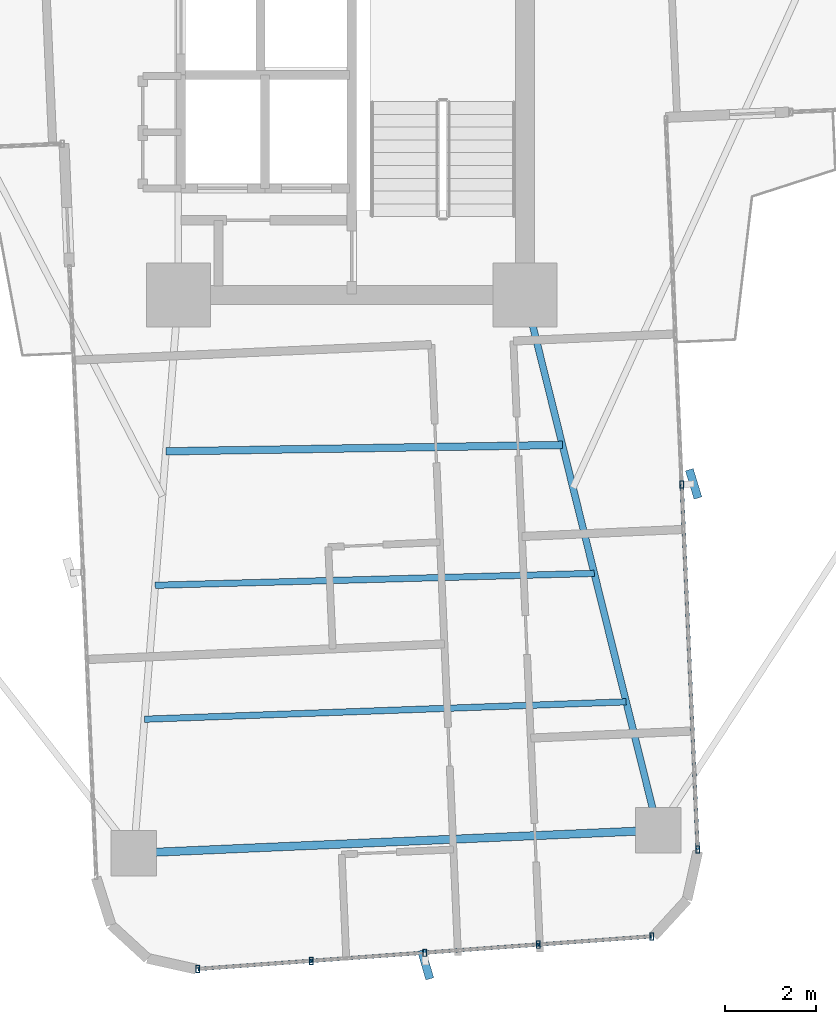
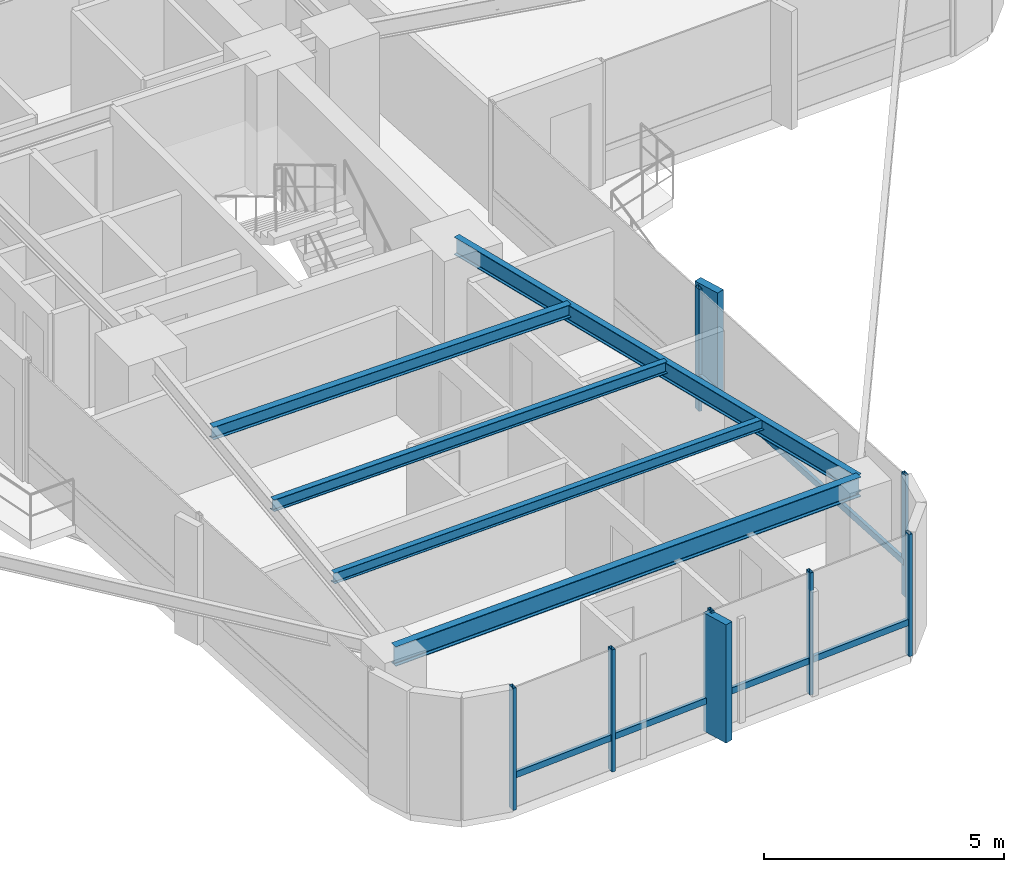
# One storey, part 6 of 26: 14 members, 5 beams, 2 elements without a shape of their own.
"""IFC4 building model written with IfcOpenShell, lengths in metres."""

from ifc_helpers import new_model, si_unit, direction, frame, origin, origin_2d, place, context, subcontext, project, spatial, rectangle, hollow_rectangle, i_section, extrude, source, transform, mapped, material, material_profile, profile_set, type_object, element, aggregate, save


model = new_model("IFC4")

# Units and contexts
model_context = context("Model", 3, precision=1e-05, world=origin(), true_north=direction((0.0, 1.0)))
body_context = subcontext(model_context, "Body", "Model", "MODEL_VIEW")
ifc_project = project(units=[si_unit("LENGTHUNIT", "METRE"), si_unit("AREAUNIT", "SQUARE_METRE"), si_unit("VOLUMEUNIT", "CUBIC_METRE"), si_unit("PLANEANGLEUNIT", "RADIAN"), si_unit("MASSUNIT", "GRAM", prefix="KILO")], contexts=[model_context])

# Site, building, storey
site_placement = place(None, origin())
site = spatial("IfcSite", under=ifc_project, at=site_placement, CompositionType="ELEMENT")
building_placement = place(site_placement, origin())
building = spatial("IfcBuilding", under=site, at=building_placement, Name="Sahyath Konkavel Grand Hotel", CompositionType="ELEMENT")
storey_placement = place(building_placement, frame((0.0, 0.0, 121.5)))
storey = spatial("IfcBuildingStorey", under=building, at=storey_placement, Name="L33", CompositionType="ELEMENT", Elevation=121.5)

# Beams
ifc_material_1 = material(Name="Steel E350", Category="steel")
ifc_material_profile_1 = material_profile(ifc_material_1, i_section(OverallWidth=0.14990234375, OverallDepth=0.449951171875, WebThickness=0.009521484375, FlangeThickness=0.017333984375, FilletRadius=0.014892578125, at=origin_2d()), Name="ISMB 450")
ifc_profile_set_1 = profile_set([ifc_material_profile_1], Name="Steel E350")
beam_type_1 = type_object("IfcBeamType", Name="BM-ISMB450", PredefinedType="BEAM", material=ifc_profile_set_1)
shared_shape_1 = source(origin(), body_context, "Body", "SweptSolid", [
    extrude(i_section(OverallWidth=0.14990234375, OverallDepth=0.449951171875, WebThickness=0.009521484375, FlangeThickness=0.017333984375, FilletRadius=0.014892578125, at=origin_2d()), origin(), (0.0, 0.0, 1.0), 12.084228515625),
])
beam_1_placement = place(storey_placement, frame((3.800048828125, -10.199951171875, 2.885009765625), z_axis=(0.241042688481, -0.970514514229, 0.0), x_axis=(0.970514514229, 0.241042688481, 0.0)))
element("IfcBeam", 1, at=beam_1_placement, inside=storey, type_object=beam_type_1, Name="L33 Cruciform Radial Girder SB", PredefinedType="BEAM", context=body_context, shape_type="MappedRepresentation", body=[
    mapped(shared_shape_1, transform((0.0, 0.0, 0.0), scale=1.0)),
])
ifc_material_profile_2 = material_profile(ifc_material_1, i_section(OverallWidth=0.179931640625, OverallDepth=0.5, WebThickness=0.01025390625, FlangeThickness=0.01708984375, FilletRadius=0.01708984375, at=origin_2d()), Name="ISMB 500")
ifc_profile_set_2 = profile_set([ifc_material_profile_2], Name="Steel E350")
beam_type_2 = type_object("IfcBeamType", Name="BM-ISMB500", PredefinedType="BEAM", material=ifc_profile_set_2)
shared_shape_2 = source(origin(), body_context, "Body", "SweptSolid", [
    extrude(i_section(OverallWidth=0.179931640625, OverallDepth=0.5, WebThickness=0.01025390625, FlangeThickness=0.01708984375, FilletRadius=0.01708984375, at=origin_2d()), origin(), (0.0, 0.0, 1.0), 11.5),
])
beam_2_placement = place(storey_placement, frame((-4.776123046875, -22.4296875, 2.860107421875), z_axis=(0.99904788879, 0.043627008892, 0.0), x_axis=(-0.043627008892, 0.99904788879, 0.0)))
element("IfcBeam", 2, at=beam_2_placement, inside=storey, type_object=beam_type_2, Name="L33 Wing Tip Edge Beam S", PredefinedType="BEAM", context=body_context, shape_type="MappedRepresentation", body=[
    mapped(shared_shape_2, transform((0.0, 0.0, 0.0), scale=1.0)),
])
ifc_material_profile_3 = material_profile(ifc_material_1, i_section(OverallWidth=0.1650390625, OverallDepth=0.324951171875, WebThickness=0.007080078125, FlangeThickness=0.009765625, FilletRadius=0.014892578125, at=origin_2d()), Name="ISLB 325")
ifc_profile_set_3 = profile_set([ifc_material_profile_3], Name="Steel E350")
beam_type_3 = type_object("IfcBeamType", Name="BM-ISLB325", PredefinedType="BEAM", material=ifc_profile_set_3)
shared_shape_3 = source(origin(), body_context, "Body", "SweptSolid", [
    extrude(i_section(OverallWidth=0.1650390625, OverallDepth=0.324951171875, WebThickness=0.007080078125, FlangeThickness=0.009765625, FilletRadius=0.014892578125, at=origin_2d()), origin(), (0.0, 0.0, 1.0), 8.68994140625),
])
beam_3_placement = place(storey_placement, frame((-4.0732421875, -13.624267578125, 2.947509765625), z_axis=(0.999869506431, 0.016154569283, 0.0), x_axis=(-0.016154569283, 0.999869506431, 0.0)))
element("IfcBeam", 3, at=beam_3_placement, inside=storey, type_object=beam_type_3, Name="L33 Secondary Floor Beam S-1", PredefinedType="BEAM", context=body_context, shape_type="MappedRepresentation", body=[
    mapped(shared_shape_3, transform((0.0, 0.0, 0.0), scale=1.0)),
])
ifc_material_profile_4 = material_profile(ifc_material_1, i_section(OverallWidth=0.139892578125, OverallDepth=0.300048828125, WebThickness=0.0078125, FlangeThickness=0.01318359375, FilletRadius=0.013916015625, at=origin_2d()), Name="ISMB 300")
ifc_profile_set_4 = profile_set([ifc_material_profile_4], Name="Steel E350")
beam_type_4 = type_object("IfcBeamType", Name="BM-ISMB300", PredefinedType="BEAM", material=ifc_profile_set_4)
shared_shape_4 = source(origin(), body_context, "Body", "SweptSolid", [
    extrude(i_section(OverallWidth=0.139892578125, OverallDepth=0.300048828125, WebThickness=0.0078125, FlangeThickness=0.01318359375, FilletRadius=0.013916015625, at=origin_2d()), origin(), (0.0, 0.0, 1.0), 9.625732421875),
])
beam_4_placement = place(storey_placement, frame((-4.3076171875, -16.559326171875, 2.9599609375), z_axis=(0.999633060528, 0.027087714933, 0.0), x_axis=(-0.027087714933, 0.999633060528, 0.0)))
element("IfcBeam", 4, at=beam_4_placement, inside=storey, type_object=beam_type_4, Name="L33 Secondary Floor Beam S-2", PredefinedType="BEAM", context=body_context, shape_type="MappedRepresentation", body=[
    mapped(shared_shape_4, transform((0.0, 0.0, 0.0), scale=1.0)),
])
ifc_material_profile_5 = material_profile(ifc_material_1, i_section(OverallWidth=0.139892578125, OverallDepth=0.27490234375, WebThickness=0.00634765625, FlangeThickness=0.0087890625, FilletRadius=0.012939453125, at=origin_2d()), Name="ISLB 275")
ifc_profile_set_5 = profile_set([ifc_material_profile_5], Name="Steel E350")
beam_type_5 = type_object("IfcBeamType", Name="BM-ISLB275", PredefinedType="BEAM", material=ifc_profile_set_5)
shared_shape_5 = source(origin(), body_context, "Body", "SweptSolid", [
    extrude(i_section(OverallWidth=0.139892578125, OverallDepth=0.27490234375, WebThickness=0.00634765625, FlangeThickness=0.0087890625, FilletRadius=0.012939453125, at=origin_2d()), origin(), (0.0, 0.0, 1.0), 10.562744140625),
])
beam_5_placement = place(storey_placement, frame((-4.5419921875, -19.49462890625, 2.972412109375), z_axis=(0.999348077295, 0.036102914095, 0.0), x_axis=(-0.036102914095, 0.999348077295, 0.0)))
element("IfcBeam", 5, at=beam_5_placement, inside=storey, type_object=beam_type_5, Name="L33 Secondary Floor Beam S-3", PredefinedType="BEAM", context=body_context, shape_type="MappedRepresentation", body=[
    mapped(shared_shape_5, transform((0.0, 0.0, 0.0), scale=1.0)),
])

# Curtain wall, member
ifc_material_2 = material(Name="Anodised Bronze Aluminium & Low-E Glazing", Category="aluminium")
curtain_wall_type = type_object("IfcCurtainWallType", Name="CW-ZONE2", PredefinedType="NOTDEFINED", material=ifc_material_2)
curtain_wall_1_placement = place(storey_placement, origin())
curtain_wall_1 = element("IfcCurtainWall", 6, at=curtain_wall_1_placement, inside=storey, type_object=curtain_wall_type, Name="L33 Unitised Curtain Wall F28", PredefinedType="NOTDEFINED")
ifc_material_3 = material(Name="Warm Buff Sandstone Cladding on Concrete C50/60", Category="masonry")
ifc_material_profile_6 = material_profile(ifc_material_3, rectangle(XDim=0.179931640625, YDim=0.64990234375, at=origin_2d()), Name="FIN 180x650")
ifc_profile_set_6 = profile_set([ifc_material_profile_6], Name="Warm Buff Sandstone Cladding on Concrete C50/60")
member_type_1 = type_object("IfcMemberType", Name="FIN-SANDSTONE-650", PredefinedType="MULLION", material=ifc_profile_set_6)
shared_shape_6 = source(origin(), body_context, "Body", "SweptSolid", [
    extrude(rectangle(XDim=0.179931640625, YDim=0.64990234375, at=origin_2d()), origin(), (0.0, 0.0, 1.0), 3.010009765625),
])
member_1_placement = place(storey_placement, frame((1.61865234375, -24.872314453125, 0.050048828125), z_axis=(0.0, 0.0, 1.0), x_axis=(0.959854262938, 0.280499187022, 0.0)))
member_1 = element("IfcMember", 7, at=member_1_placement, type_object=member_type_1, Name="L33 Sandstone Vertical Solar Fin FIN F28-2", PredefinedType="MULLION", context=body_context, shape_type="MappedRepresentation", body=[
    mapped(shared_shape_6, transform((0.0, 0.0, 0.0), scale=1.0)),
])

curtain_wall_2_placement = place(storey_placement, origin())
curtain_wall_2 = element("IfcCurtainWall", 8, at=curtain_wall_2_placement, inside=storey, type_object=curtain_wall_type, Name="L33 Unitised Curtain Wall F31", PredefinedType="NOTDEFINED")
member_2_placement = place(storey_placement, frame((7.492431640625, -14.3369140625, 0.050048828125), z_axis=(0.0, 0.0, 1.0), x_axis=(0.956610402488, 0.291370104596, 0.0)))
member_2 = element("IfcMember", 9, at=member_2_placement, type_object=member_type_1, Name="L33 Sandstone Vertical Solar Fin FIN F31-1", PredefinedType="MULLION", context=body_context, shape_type="MappedRepresentation", body=[
    mapped(shared_shape_6, transform((0.0, 0.0, 0.0), scale=1.0)),
])

# Member
ifc_material_4 = material(Name="Anodised Bronze Aluminium", Category="aluminium")
ifc_material_profile_7 = material_profile(ifc_material_4, hollow_rectangle(XDim=0.080078125, YDim=0.159912109375, WallThickness=0.006103515625, at=origin_2d()), Name="RHS 160x80x6")
ifc_profile_set_7 = profile_set([ifc_material_profile_7], Name="Anodised Bronze Aluminium")
member_type_2 = type_object("IfcMemberType", Name="CW-MUL-160", PredefinedType="MULLION", material=ifc_profile_set_7)
shared_shape_7 = source(origin(), body_context, "Body", "SweptSolid", [
    extrude(hollow_rectangle(XDim=0.080078125, YDim=0.159912109375, WallThickness=0.006103515625, at=origin_2d()), origin(), (0.0, 0.0, 1.0), 3.110107421875),
])
member_3_placement = place(storey_placement, frame((-3.3740234375, -24.9697265625, 0.0), z_axis=(0.0, 0.0, 1.0), x_axis=(1.0, 0.0, 0.0)))
member_3 = element("IfcMember", 10, at=member_3_placement, type_object=member_type_2, Name="L33 Curtain Wall Mullion F28-0", PredefinedType="MULLION", context=body_context, shape_type="MappedRepresentation", body=[
    mapped(shared_shape_7, transform((0.0, 0.0, 0.0), scale=1.0)),
])

member_4_placement = place(storey_placement, frame((-0.886962890625, -24.79150390625, 0.0), z_axis=(0.0, 0.0, 1.0), x_axis=(1.0, 0.0, 0.0)))
member_4 = element("IfcMember", 11, at=member_4_placement, type_object=member_type_2, Name="L33 Curtain Wall Mullion F28-1", PredefinedType="MULLION", context=body_context, shape_type="MappedRepresentation", body=[
    mapped(shared_shape_7, transform((0.0, 0.0, 0.0), scale=1.0)),
])

member_5_placement = place(storey_placement, frame((1.60009765625, -24.61279296875, 0.0), z_axis=(0.0, 0.0, 1.0), x_axis=(1.0, 0.0, 0.0)))
member_5 = element("IfcMember", 12, at=member_5_placement, type_object=member_type_2, Name="L33 Curtain Wall Mullion F28-2", PredefinedType="MULLION", context=body_context, shape_type="MappedRepresentation", body=[
    mapped(shared_shape_7, transform((0.0, 0.0, 0.0), scale=1.0)),
])

member_6_placement = place(storey_placement, frame((4.087158203125, -24.4345703125, 0.0), z_axis=(0.0, 0.0, 1.0), x_axis=(1.0, 0.0, 0.0)))
member_6 = element("IfcMember", 13, at=member_6_placement, type_object=member_type_2, Name="L33 Curtain Wall Mullion F28-3", PredefinedType="MULLION", context=body_context, shape_type="MappedRepresentation", body=[
    mapped(shared_shape_7, transform((0.0, 0.0, 0.0), scale=1.0)),
])

member_7_placement = place(storey_placement, frame((6.57421875, -24.256103515625, 0.0), z_axis=(0.0, 0.0, 1.0), x_axis=(1.0, 0.0, 0.0)))
member_7 = element("IfcMember", 14, at=member_7_placement, type_object=member_type_2, Name="L33 Curtain Wall Mullion F28-4", PredefinedType="MULLION", context=body_context, shape_type="MappedRepresentation", body=[
    mapped(shared_shape_7, transform((0.0, 0.0, 0.0), scale=1.0)),
])

member_8_placement = place(storey_placement, frame((7.582275390625, -22.3505859375, 0.0), z_axis=(0.0, 0.0, 1.0), x_axis=(1.0, 0.0, 0.0)))
member_8 = element("IfcMember", 15, at=member_8_placement, type_object=member_type_2, Name="L33 Curtain Wall Mullion F31-0", PredefinedType="MULLION", context=body_context, shape_type="MappedRepresentation", body=[
    mapped(shared_shape_7, transform((0.0, 0.0, 0.0), scale=1.0)),
])

member_9_placement = place(storey_placement, frame((7.232666015625, -14.34814453125, 0.0), z_axis=(0.0, 0.0, 1.0), x_axis=(1.0, 0.0, 0.0)))
member_9 = element("IfcMember", 16, at=member_9_placement, type_object=member_type_2, Name="L33 Curtain Wall Mullion F31-1", PredefinedType="MULLION", context=body_context, shape_type="MappedRepresentation", body=[
    mapped(shared_shape_7, transform((0.0, 0.0, 0.0), scale=1.0)),
])

ifc_material_profile_8 = material_profile(ifc_material_4, hollow_rectangle(XDim=0.080078125, YDim=0.159912109375, WallThickness=0.006103515625, at=origin_2d()), Name="RHS 160x80x6")
ifc_profile_set_8 = profile_set([ifc_material_profile_8], Name="Anodised Bronze Aluminium")
member_type_3 = type_object("IfcMemberType", Name="CW-TRN-160", PredefinedType="USERDEFINED", material=ifc_profile_set_8)
shared_shape_8 = source(origin(), body_context, "Body", "SweptSolid", [
    extrude(hollow_rectangle(XDim=0.080078125, YDim=0.159912109375, WallThickness=0.006103515625, at=origin_2d()), origin(), (0.0, 0.0, 1.0), 2.493408203125),
])
member_10_placement = place(storey_placement, frame((-3.3740234375, -24.9697265625, 0.85009765625), z_axis=(0.997442271688, 0.071476672066, 0.0), x_axis=(-0.071476672066, 0.997442271688, 0.0)))
member_10 = element("IfcMember", 17, at=member_10_placement, type_object=member_type_3, Name="L33 Curtain Wall Transom F28-0-spandrel", ObjectType="TRANSOM", PredefinedType="USERDEFINED", context=body_context, shape_type="MappedRepresentation", body=[
    mapped(shared_shape_8, transform((0.0, 0.0, 0.0), scale=1.0)),
])

member_11_placement = place(storey_placement, frame((-0.886962890625, -24.79150390625, 0.85009765625), z_axis=(0.997428291631, 0.071671494009, 0.0), x_axis=(-0.071671494009, 0.997428291631, 0.0)))
member_11 = element("IfcMember", 18, at=member_11_placement, type_object=member_type_3, Name="L33 Curtain Wall Transom F28-1-spandrel", ObjectType="TRANSOM", PredefinedType="USERDEFINED", context=body_context, shape_type="MappedRepresentation", body=[
    mapped(shared_shape_8, transform((0.0, 0.0, 0.0), scale=1.0)),
])

member_12_placement = place(storey_placement, frame((1.60009765625, -24.61279296875, 0.85009765625), z_axis=(0.997442271688, 0.071476672066, 0.0), x_axis=(-0.071476672066, 0.997442271688, 0.0)))
member_12 = element("IfcMember", 19, at=member_12_placement, type_object=member_type_3, Name="L33 Curtain Wall Transom F28-2-spandrel", ObjectType="TRANSOM", PredefinedType="USERDEFINED", context=body_context, shape_type="MappedRepresentation", body=[
    mapped(shared_shape_8, transform((0.0, 0.0, 0.0), scale=1.0)),
])

member_13_placement = place(storey_placement, frame((4.087158203125, -24.4345703125, 0.85009765625), z_axis=(0.997435286367, 0.071574084062, 0.0), x_axis=(-0.071574084062, 0.997435286367, 0.0)))
member_13 = element("IfcMember", 20, at=member_13_placement, type_object=member_type_3, Name="L33 Curtain Wall Transom F28-3-spandrel", ObjectType="TRANSOM", PredefinedType="USERDEFINED", context=body_context, shape_type="MappedRepresentation", body=[
    mapped(shared_shape_8, transform((0.0, 0.0, 0.0), scale=1.0)),
])

aggregate(curtain_wall_1, [member_3, member_4, member_5, member_1, member_6, member_7, member_10, member_11, member_12, member_13])

shared_shape_9 = source(origin(), body_context, "Body", "SweptSolid", [
    extrude(hollow_rectangle(XDim=0.080078125, YDim=0.159912109375, WallThickness=0.006103515625, at=origin_2d()), origin(), (0.0, 0.0, 1.0), 8.010009765625),
])
member_14_placement = place(storey_placement, frame((7.582275390625, -22.3505859375, 0.85009765625), z_axis=(-0.043646207089, 0.999047050247, 0.0), x_axis=(-0.999047050247, -0.043646207089, 0.0)))
member_14 = element("IfcMember", 21, at=member_14_placement, type_object=member_type_3, Name="L33 Curtain Wall Transom F31-0-spandrel", ObjectType="TRANSOM", PredefinedType="USERDEFINED", context=body_context, shape_type="MappedRepresentation", body=[
    mapped(shared_shape_9, transform((0.0, 0.0, 0.0), scale=1.0)),
])

aggregate(curtain_wall_2, [member_8, member_9, member_2, member_14])

save(model, "model.ifc")
